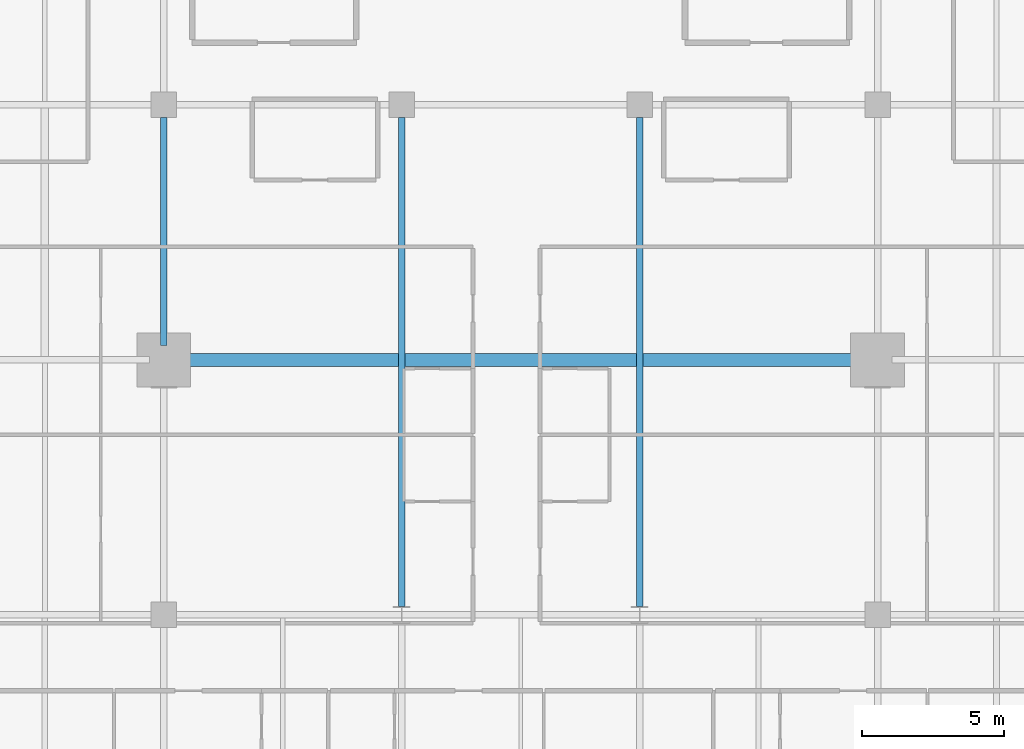
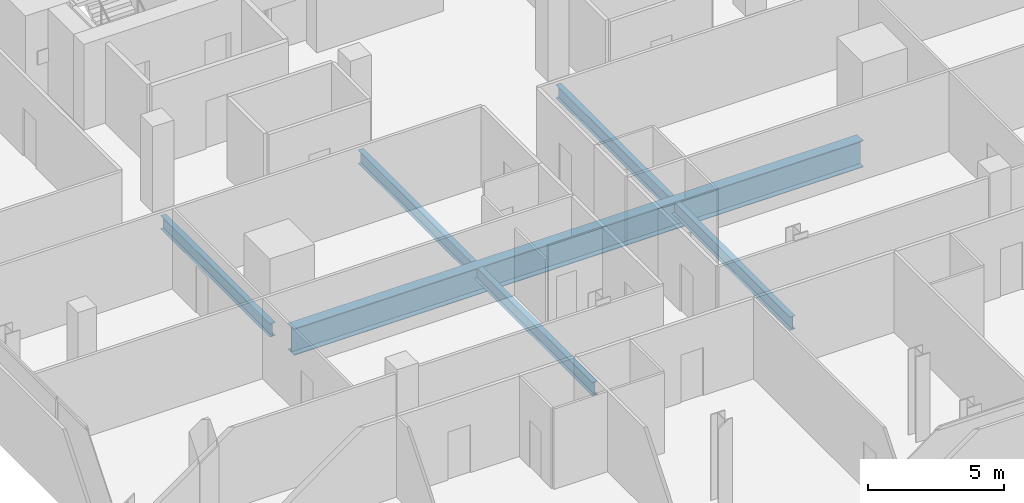
# One storey, part 11 of 32: 4 beams.
"""IFC4 building model written with IfcOpenShell, lengths in metres."""

import ifcopenshell
import ifcopenshell.guid

model = None  # the IFC model being written
_history = None  # IfcOwnerHistory: only IFC2X3 demands one
_inside = {}  # id of a spatial element -> (the spatial element, [elements in it])
_under = {}  # id of a project, library or spatial element -> (it, [spatial elements below it])
_declared = {}  # id of a project -> (the project, [libraries it declares])
_typed = {}  # id of a type object -> (the type object, [elements of that type])
_made_of = {}  # id of a material, layer set ... -> (it, [elements and type objects made of it])


def new_model(schema):
    """Start an empty IFC model of exactly this schema.

    Asked for "IFC4X3", IfcOpenShell would pick the latest addendum, in which some entities
    have other attributes; the version numbers below select the first issue.
    IFC2X3 requires an IfcOwnerHistory on every rooted entity: one is made here for all.
    """
    global model, _history
    if schema == "IFC4X3":
        model = ifcopenshell.file(schema_version=(4, 3, 0, 0))
    else:
        model = ifcopenshell.file(schema=schema)
    _inside.clear()
    _under.clear()
    _declared.clear()
    _typed.clear()
    _made_of.clear()
    _history = None
    if model.schema == "IFC2X3":
        org = make("IfcOrganization", Name="unknown")
        user = make(
            "IfcPersonAndOrganization",
            ThePerson=make("IfcPerson", FamilyName="unknown"),
            TheOrganization=org,
        )
        app = make(
            "IfcApplication",
            ApplicationDeveloper=org,
            Version="unknown",
            ApplicationFullName="unknown",
            ApplicationIdentifier="unknown",
        )
        _history = make(
            "IfcOwnerHistory",
            OwningUser=user,
            OwningApplication=app,
            ChangeAction="ADDED",
            CreationDate=0,
        )
    return model


def make(cls, **values):
    """One entity of the class cls with the attributes given. An attribute that is None is left unset."""
    return model.create_entity(
        cls, **{name: value for name, value in values.items() if value is not None}
    )


def rooted(cls, **values):
    """An entity with a GlobalId (a new one), such as an element, a storey or a relation."""
    return make(cls, GlobalId=ifcopenshell.guid.new(), OwnerHistory=_history, **values)


def si_unit(unit_type, name, prefix=None):
    """IfcSIUnit, for example si_unit("LENGTHUNIT", "METRE", prefix="MILLI")."""
    return make("IfcSIUnit", UnitType=unit_type, Prefix=prefix, Name=name)


def assignment(units):
    """IfcUnitAssignment: the units of a project."""
    return None if units is None else make("IfcUnitAssignment", Units=units)


def point(xyz):
    """IfcCartesianPoint."""
    return None if xyz is None else make("IfcCartesianPoint", Coordinates=xyz)


def direction(xyz):
    """IfcDirection."""
    return None if xyz is None else make("IfcDirection", DirectionRatios=xyz)


def frame(location, z_axis=None, x_axis=None):
    """IfcAxis2Placement3D, a coordinate frame: its origin and axes. An axis left out is left unset."""
    return make(
        "IfcAxis2Placement3D",
        Location=point(location),
        Axis=direction(z_axis),
        RefDirection=direction(x_axis),
    )


def frame_2d(location, x_axis=None):
    """IfcAxis2Placement2D, a coordinate frame in the plane: its origin and x axis."""
    return make(
        "IfcAxis2Placement2D", Location=point(location), RefDirection=direction(x_axis)
    )


def origin():
    """The frame at (0, 0, 0) with its axes left unset."""
    return frame((0.0, 0.0, 0.0))


def origin_2d():
    """The frame at (0, 0) in the plane with its x axis left unset."""
    return frame_2d((0.0, 0.0))


def place(relative_to, where):
    """IfcLocalPlacement: puts the frame where relative to a parent placement (None: the world)."""
    return make(
        "IfcLocalPlacement", PlacementRelTo=relative_to, RelativePlacement=where
    )


def context(
    kind, dimensions, precision=None, world=None, true_north=None, identifier=None
):
    """IfcGeometricRepresentationContext, for example the 3D "Model" context."""
    return make(
        "IfcGeometricRepresentationContext",
        ContextIdentifier=identifier,
        ContextType=kind,
        CoordinateSpaceDimension=dimensions,
        Precision=precision,
        WorldCoordinateSystem=world,
        TrueNorth=true_north,
    )


def subcontext(parent, identifier, kind, view, scale=None):
    """IfcGeometricRepresentationSubContext, for example "Body" below "Model"."""
    return make(
        "IfcGeometricRepresentationSubContext",
        ContextIdentifier=identifier,
        ContextType=kind,
        ParentContext=parent,
        TargetScale=scale,
        TargetView=view,
    )


def project(units=None, contexts=None):
    """IfcProject with its units and contexts."""
    return rooted(
        "IfcProject",
        Name="project",
        RepresentationContexts=contexts,
        UnitsInContext=assignment(units),
    )


def spatial(cls, under=None, at=None, **own):
    """A site, building, storey or space (cls), placed at a placement, below another one or the project."""
    s = rooted(cls, ObjectPlacement=at, **own)
    if under is not None:
        _under.setdefault(under.id(), (under, []))[1].append(s)
    return s


def profile(cls, at=None, kind="AREA", **sizes):
    """A parametric profile (cls). Its sizes go by their IFC names, for example OverallWidth=200.0."""
    return make(cls, ProfileType=kind, Position=at, **sizes)


def i_section(**sizes):
    """IfcIShapeProfileDef."""
    return profile("IfcIShapeProfileDef", **sizes)


def extrude(swept, where, along, depth):
    """IfcExtrudedAreaSolid: the profile swept, set in the frame where, extruded along a direction by depth."""
    return make(
        "IfcExtrudedAreaSolid",
        SweptArea=swept,
        Position=where,
        ExtrudedDirection=direction(along),
        Depth=depth,
    )


def shape(context_of_items, identifier, shape_type, items):
    """IfcShapeRepresentation: the items that make up one representation, for example the "Body"."""
    return make(
        "IfcShapeRepresentation",
        ContextOfItems=context_of_items,
        RepresentationIdentifier=identifier,
        RepresentationType=shape_type,
        Items=items,
    )


def material(Name=None, Category=None):
    """IfcMaterial."""
    return make("IfcMaterial", Name=Name, Category=Category)


def material_profile(
    of_material, cross_section, Name=None, Category=None, Priority=None
):
    """IfcMaterialProfile: a cross section and its material."""
    return make(
        "IfcMaterialProfile",
        Name=Name,
        Material=of_material,
        Profile=cross_section,
        Priority=Priority,
        Category=Category,
    )


def profile_set(profiles, Name=None, composite=None):
    """IfcMaterialProfileSet."""
    return make(
        "IfcMaterialProfileSet",
        Name=Name,
        MaterialProfiles=profiles,
        CompositeProfile=composite,
    )


def made_of(thing, what):
    """Note that an element or type object is made of a material, layer set ...; save() writes the relation."""
    if what is not None:
        _made_of.setdefault(what.id(), (what, []))[1].append(thing)
    return thing


def type_object(cls, material=None, **own):
    """A type object (cls), such as IfcWallType, which elements share."""
    return made_of(rooted(cls, **own), material)


def element(
    cls,
    number,
    at=None,
    inside=None,
    cuts=None,
    type_object=None,
    material=None,
    context=None,
    identifier="Body",
    shape_type=None,
    held_by="IfcProductDefinitionShape",
    body=None,
    shapes=None,
    **own,
):
    """One element of the class cls, such as IfcWall. Its Tag is "e" and its number.

    at: its placement. inside: the storey or other place that contains it. cuts: it is an
    opening in that element (IfcRelVoidsElement). A single representation is given by context,
    identifier, shape_type and body (its items); several are given by shapes. held_by: the class
    of the entity that holds the representations. save() writes the other relations.
    """
    e = rooted(cls, Tag="e%d" % number, ObjectPlacement=at, **own)
    if body is not None:
        shapes = [shape(context, identifier, shape_type, body)]
    if shapes is not None:
        e.Representation = make(held_by, Representations=shapes)
    if inside is not None:
        _inside.setdefault(inside.id(), (inside, []))[1].append(e)
    if cuts is not None:
        rooted(
            "IfcRelVoidsElement", RelatingBuildingElement=cuts, RelatedOpeningElement=e
        )
    if type_object is not None:
        _typed.setdefault(type_object.id(), (type_object, []))[1].append(e)
    return made_of(e, material)


def aggregate(whole, parts):
    """IfcRelAggregates: a whole, such as a stair, and the parts it consists of."""
    return rooted("IfcRelAggregates", RelatingObject=whole, RelatedObjects=parts)


def save(model, path):
    """Write the relations noted so far, then the file.

    IfcRelAggregates (storeys below a building ...), IfcRelContainedInSpatialStructure (elements
    in a storey), IfcRelDefinesByType, IfcRelAssociatesMaterial and IfcRelDeclares: one each for
    every whole, place, type object, material and project.
    """
    for whole, parts in _under.values():
        aggregate(whole, parts)
    for where, things in _inside.values():
        rooted(
            "IfcRelContainedInSpatialStructure",
            RelatedElements=things,
            RelatingStructure=where,
        )
    for kind, things in _typed.values():
        rooted("IfcRelDefinesByType", RelatedObjects=things, RelatingType=kind)
    for what, things in _made_of.values():
        rooted("IfcRelAssociatesMaterial", RelatedObjects=things, RelatingMaterial=what)
    for by, libraries in _declared.values():
        rooted("IfcRelDeclares", RelatingContext=by, RelatedDefinitions=libraries)
    model.write(path)


model = new_model("IFC4")

# Units and contexts
model_context = context("Model", 3, precision=1e-05, world=origin(), true_north=direction((0.0, 1.0)))
body_context = subcontext(model_context, "Body", "Model", "MODEL_VIEW")
ifc_project = project(units=[si_unit("LENGTHUNIT", "METRE"), si_unit("AREAUNIT", "SQUARE_METRE"), si_unit("VOLUMEUNIT", "CUBIC_METRE"), si_unit("PLANEANGLEUNIT", "RADIAN"), si_unit("MASSUNIT", "GRAM", prefix="KILO")], contexts=[model_context])

# Site, building, storey
site_placement = place(None, origin())
site = spatial("IfcSite", under=ifc_project, at=site_placement, CompositionType="ELEMENT")
building_placement = place(site_placement, origin())
building = spatial("IfcBuilding", under=site, at=building_placement, Name="Maruvema Waterfront Hotel and Observation Tower", CompositionType="ELEMENT")
storey_placement = place(building_placement, frame((0.0, 0.0, 165.89990234375)))
storey = spatial("IfcBuildingStorey", under=building, at=storey_placement, Name="L40", CompositionType="ELEMENT", Elevation=165.89990234375)

# Beams
ifc_material_1 = material(Name="Steel ASTM A572 Grade 50", Category="steel")
ifc_material_profile_1 = material_profile(ifc_material_1, i_section(OverallWidth=0.22802734375, OverallDepth=0.60302734375, WebThickness=0.010498046875, FlangeThickness=0.014892578125, FilletRadius=0.01806640625, at=origin_2d()), Name="W610x101.0")
ifc_profile_set_1 = profile_set([ifc_material_profile_1], Name="Steel ASTM A572 Grade 50")
beam_type_1 = type_object("IfcBeamType", Name="Primary Floor Girder W610x101.0", PredefinedType="BEAM", material=ifc_profile_set_1)
beam_1_placement = place(storey_placement, frame((25.199951171875, 27.5, -0.54150390625), z_axis=(0.0, 1.0, 0.0), x_axis=(-1.0, 0.0, 0.0)))
element("IfcBeam", 1, at=beam_1_placement, inside=storey, type_object=beam_type_1, Name="L40 Floor Girder NS-12", PredefinedType="BEAM", context=body_context, shape_type="SweptSolid", body=[
    extrude(i_section(OverallWidth=0.22802734375, OverallDepth=0.60302734375, WebThickness=0.010498046875, FlangeThickness=0.014892578125, FilletRadius=0.01806640625, at=origin_2d()), origin(), (0.0, 0.0, 1.0), 8.050048828125),
])
for number, where, z_axis, x_axis, name in (
    (2, (33.60009765625, 18.300048828125, -0.54150390625), (0.0, 1.0, 0.0), (-1.0, 0.0, 0.0), "L40 Floor Girder NS-16"),
    (3, (42.0, 18.300048828125, -0.54150390625), (0.0, 1.0, 0.0), (-1.0, 0.0, 0.0), "L40 Floor Girder NS-19"),
):
    element("IfcBeam", number, at=place(storey_placement, frame(where, z_axis=z_axis, x_axis=x_axis)), inside=storey, type_object=beam_type_1, Name=name, PredefinedType="BEAM", context=body_context, shape_type="SweptSolid", body=[
        extrude(i_section(OverallWidth=0.22802734375, OverallDepth=0.60302734375, WebThickness=0.010498046875, FlangeThickness=0.014892578125, FilletRadius=0.01806640625, at=origin_2d()), origin(), (0.0, 0.0, 1.0), 17.25),
    ])
ifc_material_2 = material(Name="Steel ABNT NBR 7007 AR 415 (ASTM A572 Grade 50)", Category="steel")
ifc_material_profile_2 = material_profile(ifc_material_2, i_section(OverallWidth=0.449951171875, OverallDepth=1.199951171875, WebThickness=0.01904296875, FlangeThickness=0.031982421875, at=origin_2d()), Name="VS1200x366")
ifc_profile_set_2 = profile_set([ifc_material_profile_2], Name="Steel ABNT NBR 7007 AR 415 (ASTM A572 Grade 50)")
beam_type_2 = type_object("IfcBeamType", Name="Upper Setback Transfer Girder VS1200x366", PredefinedType="USERDEFINED", material=ifc_profile_set_2)
beam_2_placement = place(storey_placement, frame((25.699951171875, 27.0, -0.83984375), z_axis=(1.0, 0.0, 0.0), x_axis=(0.0, 1.0, 0.0)))
element("IfcBeam", 4, at=beam_2_placement, inside=storey, type_object=beam_type_2, Name="L40 Floor Girder EW-20", ObjectType="TRANSFER GIRDER", PredefinedType="USERDEFINED", context=body_context, shape_type="SweptSolid", body=[
    extrude(i_section(OverallWidth=0.449951171875, OverallDepth=1.199951171875, WebThickness=0.01904296875, FlangeThickness=0.031982421875, at=origin_2d()), origin(), (0.0, 0.0, 1.0), 24.199951171875),
])

save(model, "model.ifc")
